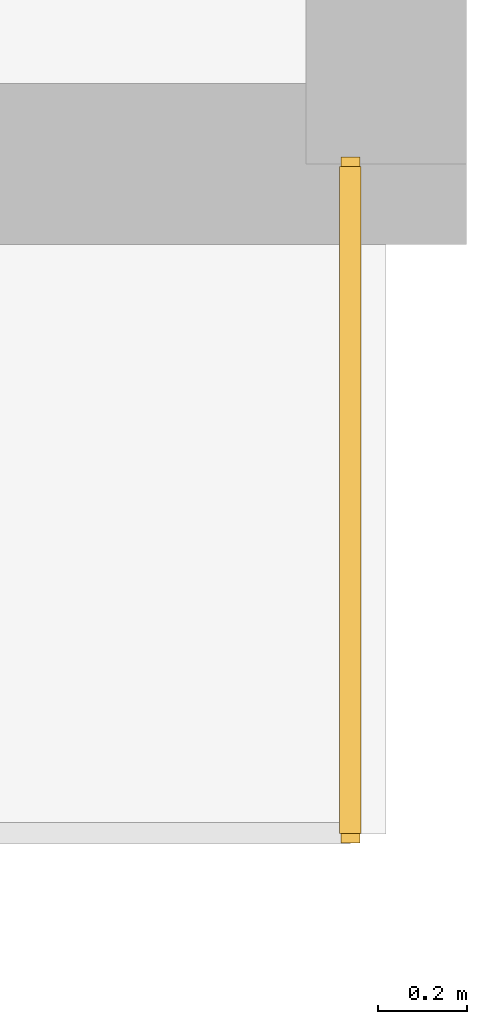
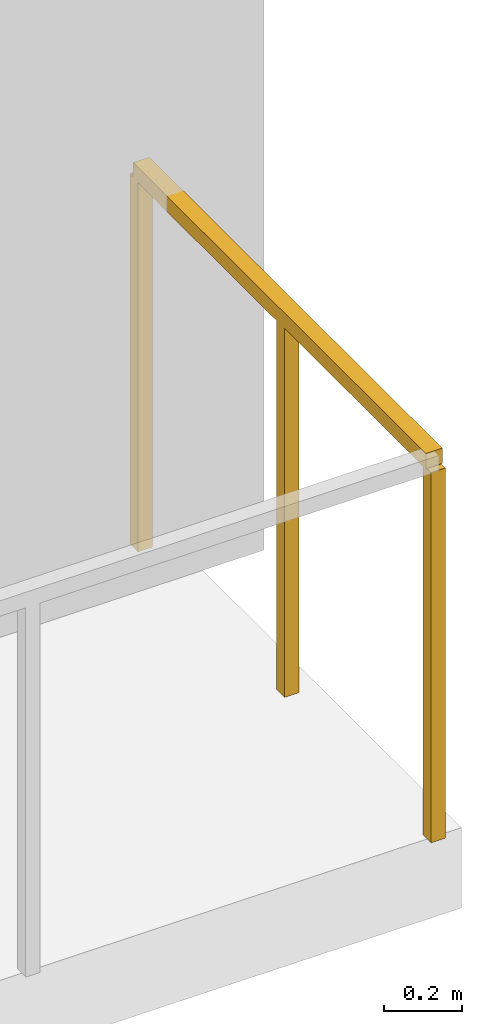
# One storey, part 28 of 28: 1 railing.
"""IFC4 building model written with IfcOpenShell, lengths in metres."""

from ifc_helpers import new_model, si_unit, direction, frame, origin, origin_2d, place, context, subcontext, project, spatial, rectangle, extrude, material, type_object, element, save


model = new_model("IFC4")

# Units and contexts
model_context = context("Model", 3, precision=1e-05, world=origin(), true_north=direction((0.0, 1.0)))
body_context = subcontext(model_context, "Body", "Model", "MODEL_VIEW")
ifc_project = project(units=[si_unit("LENGTHUNIT", "METRE"), si_unit("AREAUNIT", "SQUARE_METRE"), si_unit("VOLUMEUNIT", "CUBIC_METRE"), si_unit("PLANEANGLEUNIT", "RADIAN"), si_unit("MASSUNIT", "GRAM", prefix="KILO")], contexts=[model_context])

# Site, building, storey
site_placement = place(None, origin())
site = spatial("IfcSite", under=ifc_project, at=site_placement, CompositionType="ELEMENT")
building_placement = place(site_placement, origin())
building = spatial("IfcBuilding", under=site, at=building_placement, Name="Haevon Station Towers", CompositionType="ELEMENT")
storey_placement = place(building_placement, frame((0.0, 0.0, 10.800048828125)))
storey = spatial("IfcBuildingStorey", under=building, at=storey_placement, Name="L02", CompositionType="ELEMENT", Elevation=10.800048828125)

# Railing
ifc_material = material(Name="Steel S355", Category="steel")
railing_type = type_object("IfcRailingType", Name="GRD-EXT1200", PredefinedType="GUARDRAIL", material=ifc_material)
railing_placement = place(storey_placement, frame((142.419921875, 13.5009765625, 0.0)))
element("IfcRailing", 1, at=railing_placement, inside=storey, type_object=railing_type, Name="L02 Perimeter Guardrail 2", PredefinedType="GUARDRAIL", context=body_context, shape_type="SweptSolid", body=[
    extrude(rectangle(XDim=0.048095703125, YDim=0.048095703125, at=origin_2d()), frame((0.0, 0.0, 1.17578125), z_axis=(0.0, 1.0, 0.0), x_axis=(-1.0, 0.0, 0.0)), (0.0, 0.0, 1.0), 1.4931640625),
    extrude(rectangle(XDim=0.0419921875, YDim=0.0419921875, at=origin_2d()), origin(), (0.0, 0.0, 1.0), 1.15185546875),
    extrude(rectangle(XDim=0.0419921875, YDim=0.0419921875, at=origin_2d()), frame((0.0, 0.74658203125, 0.0)), (0.0, 0.0, 1.0), 1.15185546875),
    extrude(rectangle(XDim=0.0419921875, YDim=0.0419921875, at=origin_2d()), frame((0.0, 1.4931640625, 0.0)), (0.0, 0.0, 1.0), 1.15185546875),
])

save(model, "model.ifc")
